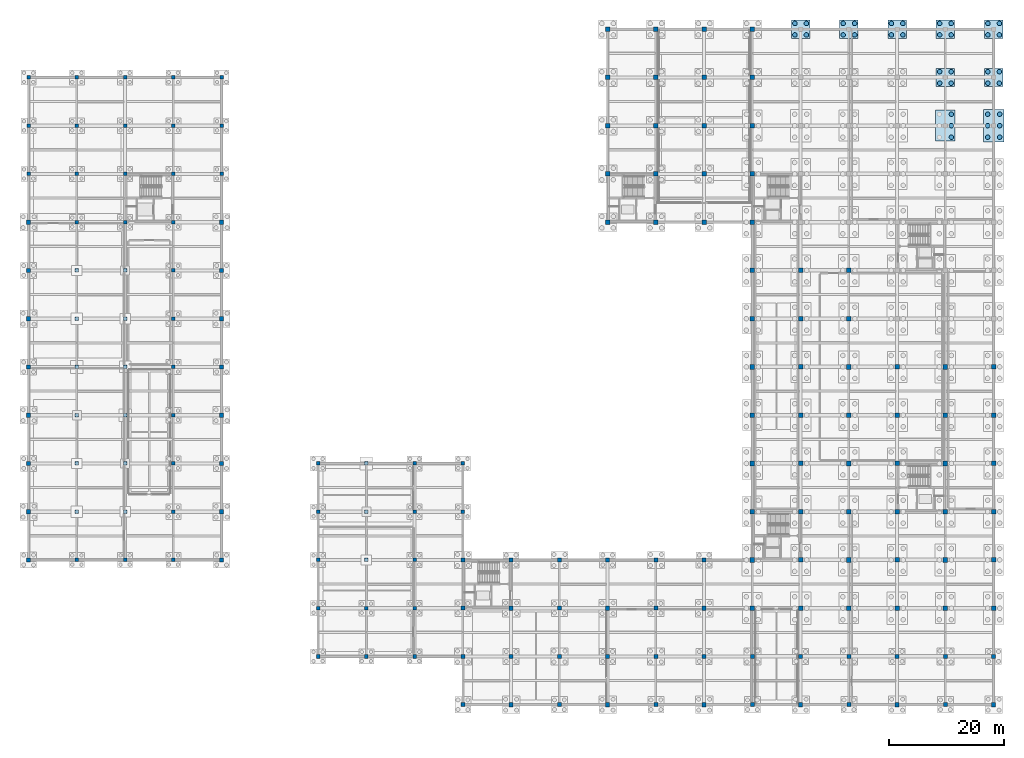
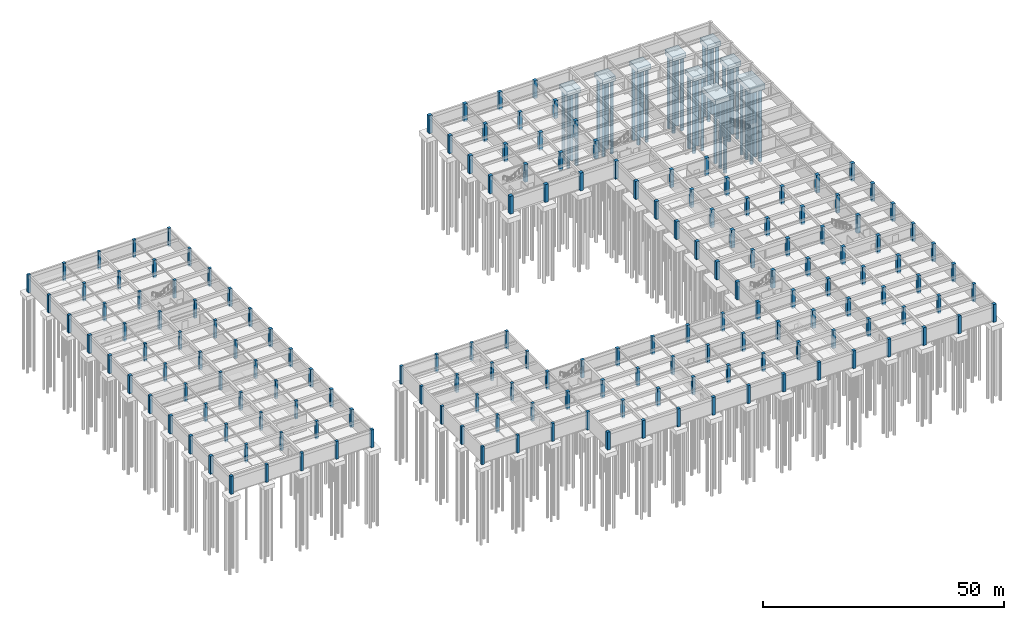
# One storey, part 7 of 33: 170 columns, 37 piles, 9 footings.
"""IFC4 building model written with IfcOpenShell, lengths in metres."""

from ifc_helpers import new_model, si_unit, direction, frame, origin, origin_2d, place, context, subcontext, project, spatial, rectangle, circle, extrude, material, material_profile, profile_set, type_object, element, save


model = new_model("IFC4")

# Units and contexts
model_context = context("Model", 3, precision=1e-05, world=origin(), true_north=direction((0.0, 1.0)))
body_context = subcontext(model_context, "Body", "Model", "MODEL_VIEW")
ifc_project = project(units=[si_unit("LENGTHUNIT", "METRE"), si_unit("AREAUNIT", "SQUARE_METRE"), si_unit("VOLUMEUNIT", "CUBIC_METRE"), si_unit("PLANEANGLEUNIT", "RADIAN"), si_unit("MASSUNIT", "GRAM", prefix="KILO")], contexts=[model_context])

# Site, building, storey
site_placement = place(None, origin())
site = spatial("IfcSite", under=ifc_project, at=site_placement, CompositionType="ELEMENT")
building_placement = place(site_placement, origin())
building = spatial("IfcBuilding", under=site, at=building_placement, Name="Kveldsbrygga Polytechnic", CompositionType="ELEMENT")
storey_placement = place(building_placement, frame((0.0, 0.0, -4.419921875)))
storey = spatial("IfcBuildingStorey", under=building, at=storey_placement, Name="B1", CompositionType="ELEMENT", Elevation=-4.419921875)

# Footings
ifc_material = material(Name="Concrete C45/55", Category="concrete")
footing_type_1 = type_object("IfcFootingType", Name="PC-4P-LRG", PredefinedType="PILE_CAP", material=ifc_material)
for number, where, z_axis, x_axis, name in (
    (1, (134.39990234375, 117.60009765625, -1.650146484375), (0.0, 0.0, 1.0), (1.0, 0.0, 0.0), "Foundation FND-16-14"),
    (2, (142.800048828125, 117.60009765625, -1.650146484375), (0.0, 0.0, 1.0), (1.0, 0.0, 0.0), "Foundation FND-17-14"),
    (3, (151.199951171875, 117.60009765625, -1.650146484375), (0.0, 0.0, 1.0), (1.0, 0.0, 0.0), "Foundation FND-18-14"),
    (4, (159.60009765625, 109.199951171875, -1.650146484375), (0.0, 0.0, 1.0), (1.0, 0.0, 0.0), "Foundation FND-19-13"),
    (5, (159.60009765625, 117.60009765625, -1.650146484375), (0.0, 0.0, 1.0), (1.0, 0.0, 0.0), "Foundation FND-19-14"),
    (6, (168.0, 109.199951171875, -1.650146484375), (0.0, 0.0, 1.0), (1.0, 0.0, 0.0), "Foundation FND-20-13"),
    (7, (168.0, 117.60009765625, -1.650146484375), (0.0, 0.0, 1.0), (1.0, 0.0, 0.0), "Foundation FND-20-14"),
):
    element("IfcFooting", number, at=place(storey_placement, frame(where, z_axis=z_axis, x_axis=x_axis)), inside=storey, type_object=footing_type_1, Name=name, PredefinedType="PILE_CAP", context=body_context, shape_type="SweptSolid", body=[
        extrude(rectangle(XDim=3.199951171875, YDim=3.199951171875, at=origin_2d()), origin(), (0.0, 0.0, 1.0), 1.25),
    ])
footing_type_2 = type_object("IfcFootingType", Name="PC-6P-CORE", PredefinedType="PILE_CAP", material=ifc_material)
footing_1_placement = place(storey_placement, frame((168.0, 100.800048828125, -1.750244140625), z_axis=(0.0, 0.0, 1.0), x_axis=(1.0, 0.0, 0.0)))
element("IfcFooting", 8, at=footing_1_placement, inside=storey, type_object=footing_type_2, Name="Foundation FND-20-12", PredefinedType="PILE_CAP", context=body_context, shape_type="SweptSolid", body=[
    extrude(rectangle(XDim=3.60009765625, YDim=5.60009765625, at=origin_2d()), origin(), (0.0, 0.0, 1.0), 1.35009765625),
])
footing_type_3 = type_object("IfcFootingType", Name="PC-6P-HEAVY", PredefinedType="PILE_CAP", material=ifc_material)
footing_2_placement = place(storey_placement, frame((159.60009765625, 100.800048828125, -1.7001953125), z_axis=(0.0, 0.0, 1.0), x_axis=(1.0, 0.0, 0.0)))
element("IfcFooting", 9, at=footing_2_placement, inside=storey, type_object=footing_type_3, Name="Foundation FND-19-12", PredefinedType="PILE_CAP", context=body_context, shape_type="SweptSolid", body=[
    extrude(rectangle(XDim=3.39990234375, YDim=5.39990234375, at=origin_2d()), origin(), (0.0, 0.0, 1.0), 1.300048828125),
])

# Piles
ifc_material_profile_1 = material_profile(ifc_material, circle(Radius=0.39990234375, at=origin_2d()), Name="PILE D800")
ifc_profile_set_1 = profile_set([ifc_material_profile_1], Name="Concrete C45/55")
pile_type = type_object("IfcPileType", Name="PILE-D800", PredefinedType="BORED", material=ifc_profile_set_1)
for number, where, z_axis, x_axis, name in (
    (10, (133.39990234375, 116.60009765625, -1.5), (0.0, 0.0, -1.0), (1.0, 0.0, 0.0), "Bored Pile PIL-16-14-1"),
    (11, (135.39990234375, 116.60009765625, -1.5), (0.0, 0.0, -1.0), (1.0, 0.0, 0.0), "Bored Pile PIL-16-14-2"),
    (12, (133.39990234375, 118.60009765625, -1.5), (0.0, 0.0, -1.0), (1.0, 0.0, 0.0), "Bored Pile PIL-16-14-3"),
    (13, (135.39990234375, 118.60009765625, -1.5), (0.0, 0.0, -1.0), (1.0, 0.0, 0.0), "Bored Pile PIL-16-14-4"),
    (14, (141.800048828125, 116.60009765625, -1.5), (0.0, 0.0, -1.0), (1.0, 0.0, 0.0), "Bored Pile PIL-17-14-1"),
    (15, (143.800048828125, 116.60009765625, -1.5), (0.0, 0.0, -1.0), (1.0, 0.0, 0.0), "Bored Pile PIL-17-14-2"),
    (16, (141.800048828125, 118.60009765625, -1.5), (0.0, 0.0, -1.0), (1.0, 0.0, 0.0), "Bored Pile PIL-17-14-3"),
    (17, (143.800048828125, 118.60009765625, -1.5), (0.0, 0.0, -1.0), (1.0, 0.0, 0.0), "Bored Pile PIL-17-14-4"),
    (18, (150.199951171875, 116.60009765625, -1.5), (0.0, 0.0, -1.0), (1.0, 0.0, 0.0), "Bored Pile PIL-18-14-1"),
    (19, (152.199951171875, 116.60009765625, -1.5), (0.0, 0.0, -1.0), (1.0, 0.0, 0.0), "Bored Pile PIL-18-14-2"),
    (20, (150.199951171875, 118.60009765625, -1.5), (0.0, 0.0, -1.0), (1.0, 0.0, 0.0), "Bored Pile PIL-18-14-3"),
    (21, (152.199951171875, 118.60009765625, -1.5), (0.0, 0.0, -1.0), (1.0, 0.0, 0.0), "Bored Pile PIL-18-14-4"),
):
    element("IfcPile", number, at=place(storey_placement, frame(where, z_axis=z_axis, x_axis=x_axis)), inside=storey, type_object=pile_type, Name=name, PredefinedType="BORED", context=body_context, shape_type="SweptSolid", body=[
        extrude(circle(Radius=0.39990234375, at=origin_2d()), origin(), (0.0, 0.0, 1.0), 18.580078125),
    ])
for number, where, z_axis, x_axis, name in (
    (22, (160.64990234375, 98.800048828125, -1.550048828125), (0.0, 0.0, -1.0), (1.0, 0.0, 0.0), "Bored Pile PIL-19-12-2"),
    (23, (160.64990234375, 100.800048828125, -1.550048828125), (0.0, 0.0, -1.0), (1.0, 0.0, 0.0), "Bored Pile PIL-19-12-4"),
    (24, (160.64990234375, 102.800048828125, -1.550048828125), (0.0, 0.0, -1.0), (1.0, 0.0, 0.0), "Bored Pile PIL-19-12-6"),
):
    element("IfcPile", number, at=place(storey_placement, frame(where, z_axis=z_axis, x_axis=x_axis)), inside=storey, type_object=pile_type, Name=name, PredefinedType="BORED", context=body_context, shape_type="SweptSolid", body=[
        extrude(circle(Radius=0.39990234375, at=origin_2d()), origin(), (0.0, 0.0, 1.0), 18.530029296875),
    ])
for number, where, z_axis, x_axis, name in (
    (25, (158.60009765625, 108.199951171875, -1.5), (0.0, 0.0, -1.0), (1.0, 0.0, 0.0), "Bored Pile PIL-19-13-1"),
    (26, (160.60009765625, 108.199951171875, -1.5), (0.0, 0.0, -1.0), (1.0, 0.0, 0.0), "Bored Pile PIL-19-13-2"),
    (27, (158.60009765625, 110.199951171875, -1.5), (0.0, 0.0, -1.0), (1.0, 0.0, 0.0), "Bored Pile PIL-19-13-3"),
    (28, (160.60009765625, 110.199951171875, -1.5), (0.0, 0.0, -1.0), (1.0, 0.0, 0.0), "Bored Pile PIL-19-13-4"),
    (29, (158.60009765625, 116.60009765625, -1.5), (0.0, 0.0, -1.0), (1.0, 0.0, 0.0), "Bored Pile PIL-19-14-1"),
    (30, (160.60009765625, 116.60009765625, -1.5), (0.0, 0.0, -1.0), (1.0, 0.0, 0.0), "Bored Pile PIL-19-14-2"),
    (31, (158.60009765625, 118.60009765625, -1.5), (0.0, 0.0, -1.0), (1.0, 0.0, 0.0), "Bored Pile PIL-19-14-3"),
    (32, (160.60009765625, 118.60009765625, -1.5), (0.0, 0.0, -1.0), (1.0, 0.0, 0.0), "Bored Pile PIL-19-14-4"),
):
    element("IfcPile", number, at=place(storey_placement, frame(where, z_axis=z_axis, x_axis=x_axis)), inside=storey, type_object=pile_type, Name=name, PredefinedType="BORED", context=body_context, shape_type="SweptSolid", body=[
        extrude(circle(Radius=0.39990234375, at=origin_2d()), origin(), (0.0, 0.0, 1.0), 18.580078125),
    ])
for number, where, z_axis, x_axis, name in (
    (33, (166.949951171875, 98.800048828125, -1.60009765625), (0.0, 0.0, -1.0), (1.0, 0.0, 0.0), "Bored Pile PIL-20-12-1"),
    (34, (169.050048828125, 98.800048828125, -1.60009765625), (0.0, 0.0, -1.0), (1.0, 0.0, 0.0), "Bored Pile PIL-20-12-2"),
    (35, (166.949951171875, 100.800048828125, -1.60009765625), (0.0, 0.0, -1.0), (1.0, 0.0, 0.0), "Bored Pile PIL-20-12-3"),
    (36, (169.050048828125, 100.800048828125, -1.60009765625), (0.0, 0.0, -1.0), (1.0, 0.0, 0.0), "Bored Pile PIL-20-12-4"),
    (37, (166.949951171875, 102.800048828125, -1.60009765625), (0.0, 0.0, -1.0), (1.0, 0.0, 0.0), "Bored Pile PIL-20-12-5"),
    (38, (169.050048828125, 102.800048828125, -1.60009765625), (0.0, 0.0, -1.0), (1.0, 0.0, 0.0), "Bored Pile PIL-20-12-6"),
):
    element("IfcPile", number, at=place(storey_placement, frame(where, z_axis=z_axis, x_axis=x_axis)), inside=storey, type_object=pile_type, Name=name, PredefinedType="BORED", context=body_context, shape_type="SweptSolid", body=[
        extrude(circle(Radius=0.39990234375, at=origin_2d()), origin(), (0.0, 0.0, 1.0), 18.47998046875),
    ])
for number, where, z_axis, x_axis, name in (
    (39, (167.0, 108.199951171875, -1.5), (0.0, 0.0, -1.0), (1.0, 0.0, 0.0), "Bored Pile PIL-20-13-1"),
    (40, (169.0, 108.199951171875, -1.5), (0.0, 0.0, -1.0), (1.0, 0.0, 0.0), "Bored Pile PIL-20-13-2"),
    (41, (167.0, 110.199951171875, -1.5), (0.0, 0.0, -1.0), (1.0, 0.0, 0.0), "Bored Pile PIL-20-13-3"),
    (42, (169.0, 110.199951171875, -1.5), (0.0, 0.0, -1.0), (1.0, 0.0, 0.0), "Bored Pile PIL-20-13-4"),
    (43, (167.0, 116.60009765625, -1.5), (0.0, 0.0, -1.0), (1.0, 0.0, 0.0), "Bored Pile PIL-20-14-1"),
    (44, (169.0, 116.60009765625, -1.5), (0.0, 0.0, -1.0), (1.0, 0.0, 0.0), "Bored Pile PIL-20-14-2"),
    (45, (167.0, 118.60009765625, -1.5), (0.0, 0.0, -1.0), (1.0, 0.0, 0.0), "Bored Pile PIL-20-14-3"),
    (46, (169.0, 118.60009765625, -1.5), (0.0, 0.0, -1.0), (1.0, 0.0, 0.0), "Bored Pile PIL-20-14-4"),
):
    element("IfcPile", number, at=place(storey_placement, frame(where, z_axis=z_axis, x_axis=x_axis)), inside=storey, type_object=pile_type, Name=name, PredefinedType="BORED", context=body_context, shape_type="SweptSolid", body=[
        extrude(circle(Radius=0.39990234375, at=origin_2d()), origin(), (0.0, 0.0, 1.0), 18.580078125),
    ])

# Columns
ifc_material_profile_2 = material_profile(ifc_material, rectangle(XDim=0.6201171875, YDim=0.6201171875, at=origin_2d()), Name="RC 620x620")
ifc_profile_set_2 = profile_set([ifc_material_profile_2], Name="Concrete C45/55")
column_type_1 = type_object("IfcColumnType", Name="COL-RC-620", PredefinedType="COLUMN", material=ifc_profile_set_2)
for number, where, z_axis, x_axis, name in (
    (47, (0.0, 92.39990234375, -0.400146484375), (0.0, 0.0, 1.0), (1.0, 0.0, 0.0), "Column COL-B1-00-11"),
    (48, (0.0, 100.800048828125, -0.400146484375), (0.0, 0.0, 1.0), (1.0, 0.0, 0.0), "Column COL-B1-00-12"),
    (49, (0.0, 109.199951171875, -0.400146484375), (0.0, 0.0, 1.0), (1.0, 0.0, 0.0), "Column COL-B1-00-13"),
    (50, (8.39990234375, 25.199951171875, -0.400146484375), (0.0, 0.0, 1.0), (1.0, 0.0, 0.0), "Column COL-B1-01-03"),
    (51, (8.39990234375, 33.60009765625, -0.400146484375), (0.0, 0.0, 1.0), (1.0, 0.0, 0.0), "Column COL-B1-01-04"),
    (52, (8.39990234375, 42.0, -0.400146484375), (0.0, 0.0, 1.0), (1.0, 0.0, 0.0), "Column COL-B1-01-05"),
    (53, (8.39990234375, 50.39990234375, -0.400146484375), (0.0, 0.0, 1.0), (1.0, 0.0, 0.0), "Column COL-B1-01-06"),
    (54, (8.39990234375, 58.800048828125, -0.400146484375), (0.0, 0.0, 1.0), (1.0, 0.0, 0.0), "Column COL-B1-01-07"),
    (55, (8.39990234375, 67.199951171875, -0.400146484375), (0.0, 0.0, 1.0), (1.0, 0.0, 0.0), "Column COL-B1-01-08"),
    (56, (8.39990234375, 75.60009765625, -0.400146484375), (0.0, 0.0, 1.0), (1.0, 0.0, 0.0), "Column COL-B1-01-09"),
    (57, (8.39990234375, 84.0, -0.400146484375), (0.0, 0.0, 1.0), (1.0, 0.0, 0.0), "Column COL-B1-01-10"),
    (58, (8.39990234375, 92.39990234375, -0.400146484375), (0.0, 0.0, 1.0), (1.0, 0.0, 0.0), "Column COL-B1-01-11"),
    (59, (8.39990234375, 100.800048828125, -0.400146484375), (0.0, 0.0, 1.0), (1.0, 0.0, 0.0), "Column COL-B1-01-12"),
    (60, (8.39990234375, 109.199951171875, -0.400146484375), (0.0, 0.0, 1.0), (1.0, 0.0, 0.0), "Column COL-B1-01-13"),
    (61, (16.800048828125, 25.199951171875, -0.400146484375), (0.0, 0.0, 1.0), (1.0, 0.0, 0.0), "Column COL-B1-02-03"),
    (62, (16.800048828125, 33.60009765625, -0.400146484375), (0.0, 0.0, 1.0), (1.0, 0.0, 0.0), "Column COL-B1-02-04"),
    (63, (16.800048828125, 42.0, -0.400146484375), (0.0, 0.0, 1.0), (1.0, 0.0, 0.0), "Column COL-B1-02-05"),
    (64, (16.800048828125, 50.39990234375, -0.400146484375), (0.0, 0.0, 1.0), (1.0, 0.0, 0.0), "Column COL-B1-02-06"),
    (65, (16.800048828125, 58.800048828125, -0.400146484375), (0.0, 0.0, 1.0), (1.0, 0.0, 0.0), "Column COL-B1-02-07"),
    (66, (16.800048828125, 67.199951171875, -0.400146484375), (0.0, 0.0, 1.0), (1.0, 0.0, 0.0), "Column COL-B1-02-08"),
    (67, (16.800048828125, 75.60009765625, -0.400146484375), (0.0, 0.0, 1.0), (1.0, 0.0, 0.0), "Column COL-B1-02-09"),
    (68, (16.800048828125, 84.0, -0.400146484375), (0.0, 0.0, 1.0), (1.0, 0.0, 0.0), "Column COL-B1-02-10"),
    (69, (16.800048828125, 92.39990234375, -0.400146484375), (0.0, 0.0, 1.0), (1.0, 0.0, 0.0), "Column COL-B1-02-11"),
    (70, (16.800048828125, 100.800048828125, -0.400146484375), (0.0, 0.0, 1.0), (1.0, 0.0, 0.0), "Column COL-B1-02-12"),
    (71, (16.800048828125, 109.199951171875, -0.400146484375), (0.0, 0.0, 1.0), (1.0, 0.0, 0.0), "Column COL-B1-02-13"),
    (72, (25.199951171875, 25.199951171875, -0.400146484375), (0.0, 0.0, 1.0), (1.0, 0.0, 0.0), "Column COL-B1-03-03"),
    (73, (25.199951171875, 33.60009765625, -0.400146484375), (0.0, 0.0, 1.0), (1.0, 0.0, 0.0), "Column COL-B1-03-04"),
    (74, (25.199951171875, 42.0, -0.400146484375), (0.0, 0.0, 1.0), (1.0, 0.0, 0.0), "Column COL-B1-03-05"),
    (75, (25.199951171875, 50.39990234375, -0.400146484375), (0.0, 0.0, 1.0), (1.0, 0.0, 0.0), "Column COL-B1-03-06"),
    (76, (25.199951171875, 58.800048828125, -0.400146484375), (0.0, 0.0, 1.0), (1.0, 0.0, 0.0), "Column COL-B1-03-07"),
    (77, (25.199951171875, 67.199951171875, -0.400146484375), (0.0, 0.0, 1.0), (1.0, 0.0, 0.0), "Column COL-B1-03-08"),
    (78, (25.199951171875, 75.60009765625, -0.400146484375), (0.0, 0.0, 1.0), (1.0, 0.0, 0.0), "Column COL-B1-03-09"),
    (79, (25.199951171875, 84.0, -0.400146484375), (0.0, 0.0, 1.0), (1.0, 0.0, 0.0), "Column COL-B1-03-10"),
    (80, (25.199951171875, 92.39990234375, -0.400146484375), (0.0, 0.0, 1.0), (1.0, 0.0, 0.0), "Column COL-B1-03-11"),
    (81, (25.199951171875, 100.800048828125, -0.400146484375), (0.0, 0.0, 1.0), (1.0, 0.0, 0.0), "Column COL-B1-03-12"),
    (82, (25.199951171875, 109.199951171875, -0.400146484375), (0.0, 0.0, 1.0), (1.0, 0.0, 0.0), "Column COL-B1-03-13"),
    (83, (33.60009765625, 92.39990234375, -0.400146484375), (0.0, 0.0, 1.0), (1.0, 0.0, 0.0), "Column COL-B1-04-11"),
    (84, (33.60009765625, 100.800048828125, -0.400146484375), (0.0, 0.0, 1.0), (1.0, 0.0, 0.0), "Column COL-B1-04-12"),
    (85, (33.60009765625, 109.199951171875, -0.400146484375), (0.0, 0.0, 1.0), (1.0, 0.0, 0.0), "Column COL-B1-04-13"),
    (86, (50.39990234375, 8.39990234375, -0.400146484375), (0.0, 0.0, 1.0), (1.0, 0.0, 0.0), "Column COL-B1-06-01"),
    (87, (50.39990234375, 16.800048828125, -0.400146484375), (0.0, 0.0, 1.0), (1.0, 0.0, 0.0), "Column COL-B1-06-02"),
    (88, (50.39990234375, 25.199951171875, -0.400146484375), (0.0, 0.0, 1.0), (1.0, 0.0, 0.0), "Column COL-B1-06-03"),
    (89, (50.39990234375, 33.60009765625, -0.400146484375), (0.0, 0.0, 1.0), (1.0, 0.0, 0.0), "Column COL-B1-06-04"),
    (90, (50.39990234375, 42.0, -0.400146484375), (0.0, 0.0, 1.0), (1.0, 0.0, 0.0), "Column COL-B1-06-05"),
    (91, (58.800048828125, 8.39990234375, -0.400146484375), (0.0, 0.0, 1.0), (1.0, 0.0, 0.0), "Column COL-B1-07-01"),
    (92, (58.800048828125, 16.800048828125, -0.400146484375), (0.0, 0.0, 1.0), (1.0, 0.0, 0.0), "Column COL-B1-07-02"),
    (93, (58.800048828125, 25.199951171875, -0.400146484375), (0.0, 0.0, 1.0), (1.0, 0.0, 0.0), "Column COL-B1-07-03"),
    (94, (58.800048828125, 33.60009765625, -0.400146484375), (0.0, 0.0, 1.0), (1.0, 0.0, 0.0), "Column COL-B1-07-04"),
    (95, (58.800048828125, 42.0, -0.400146484375), (0.0, 0.0, 1.0), (1.0, 0.0, 0.0), "Column COL-B1-07-05"),
    (96, (67.199951171875, 8.39990234375, -0.400146484375), (0.0, 0.0, 1.0), (1.0, 0.0, 0.0), "Column COL-B1-08-01"),
    (97, (67.199951171875, 16.800048828125, -0.400146484375), (0.0, 0.0, 1.0), (1.0, 0.0, 0.0), "Column COL-B1-08-02"),
    (98, (67.199951171875, 25.199951171875, -0.400146484375), (0.0, 0.0, 1.0), (1.0, 0.0, 0.0), "Column COL-B1-08-03"),
    (99, (67.199951171875, 33.60009765625, -0.400146484375), (0.0, 0.0, 1.0), (1.0, 0.0, 0.0), "Column COL-B1-08-04"),
    (100, (67.199951171875, 42.0, -0.400146484375), (0.0, 0.0, 1.0), (1.0, 0.0, 0.0), "Column COL-B1-08-05"),
    (101, (75.60009765625, 33.60009765625, -0.400146484375), (0.0, 0.0, 1.0), (1.0, 0.0, 0.0), "Column COL-B1-09-04"),
    (102, (75.60009765625, 42.0, -0.400146484375), (0.0, 0.0, 1.0), (1.0, 0.0, 0.0), "Column COL-B1-09-05"),
):
    element("IfcColumn", number, at=place(storey_placement, frame(where, z_axis=z_axis, x_axis=x_axis)), inside=storey, type_object=column_type_1, Name=name, PredefinedType="COLUMN", context=body_context, shape_type="SweptSolid", body=[
        extrude(rectangle(XDim=0.6201171875, YDim=0.6201171875, at=origin_2d()), origin(), (0.0, 0.0, 1.0), 4.52001953125),
    ])
ifc_material_profile_3 = material_profile(ifc_material, rectangle(XDim=0.699951171875, YDim=0.699951171875, at=origin_2d()), Name="RC 700x700")
ifc_profile_set_3 = profile_set([ifc_material_profile_3], Name="Concrete C45/55")
column_type_2 = type_object("IfcColumnType", Name="COL-RC-700", PredefinedType="COLUMN", material=ifc_profile_set_3)
for number, where, z_axis, x_axis, name in (
    (103, (0.0, 25.199951171875, -0.400146484375), (0.0, 0.0, 1.0), (1.0, 0.0, 0.0), "Column COL-B1-00-03"),
    (104, (0.0, 42.0, -0.400146484375), (0.0, 0.0, 1.0), (1.0, 0.0, 0.0), "Column COL-B1-00-05"),
    (105, (0.0, 58.800048828125, -0.400146484375), (0.0, 0.0, 1.0), (1.0, 0.0, 0.0), "Column COL-B1-00-07"),
    (106, (0.0, 75.60009765625, -0.400146484375), (0.0, 0.0, 1.0), (1.0, 0.0, 0.0), "Column COL-B1-00-09"),
    (107, (33.60009765625, 25.199951171875, -0.400146484375), (0.0, 0.0, 1.0), (1.0, 0.0, 0.0), "Column COL-B1-04-03"),
    (108, (33.60009765625, 42.0, -0.400146484375), (0.0, 0.0, 1.0), (1.0, 0.0, 0.0), "Column COL-B1-04-05"),
    (109, (33.60009765625, 58.800048828125, -0.400146484375), (0.0, 0.0, 1.0), (1.0, 0.0, 0.0), "Column COL-B1-04-07"),
    (110, (33.60009765625, 75.60009765625, -0.400146484375), (0.0, 0.0, 1.0), (1.0, 0.0, 0.0), "Column COL-B1-04-09"),
    (111, (75.60009765625, 0.0, -0.400146484375), (0.0, 0.0, 1.0), (1.0, 0.0, 0.0), "Column COL-B1-09-00"),
    (112, (75.60009765625, 16.800048828125, -0.400146484375), (0.0, 0.0, 1.0), (1.0, 0.0, 0.0), "Column COL-B1-09-02"),
    (113, (84.0, 8.39990234375, -0.400146484375), (0.0, 0.0, 1.0), (1.0, 0.0, 0.0), "Column COL-B1-10-01"),
    (114, (84.0, 25.199951171875, -0.400146484375), (0.0, 0.0, 1.0), (1.0, 0.0, 0.0), "Column COL-B1-10-03"),
    (115, (92.39990234375, 0.0, -0.400146484375), (0.0, 0.0, 1.0), (1.0, 0.0, 0.0), "Column COL-B1-11-00"),
    (116, (92.39990234375, 16.800048828125, -0.400146484375), (0.0, 0.0, 1.0), (1.0, 0.0, 0.0), "Column COL-B1-11-02"),
    (117, (100.800048828125, 8.39990234375, -0.400146484375), (0.0, 0.0, 1.0), (1.0, 0.0, 0.0), "Column COL-B1-12-01"),
    (118, (100.800048828125, 25.199951171875, -0.400146484375), (0.0, 0.0, 1.0), (1.0, 0.0, 0.0), "Column COL-B1-12-03"),
    (119, (109.199951171875, 0.0, -0.400146484375), (0.0, 0.0, 1.0), (1.0, 0.0, 0.0), "Column COL-B1-13-00"),
    (120, (109.199951171875, 16.800048828125, -0.400146484375), (0.0, 0.0, 1.0), (1.0, 0.0, 0.0), "Column COL-B1-13-02"),
    (121, (117.60009765625, 8.39990234375, -0.400146484375), (0.0, 0.0, 1.0), (1.0, 0.0, 0.0), "Column COL-B1-14-01"),
    (122, (117.60009765625, 25.199951171875, -0.400146484375), (0.0, 0.0, 1.0), (1.0, 0.0, 0.0), "Column COL-B1-14-03"),
    (123, (126.0, 0.0, -0.400146484375), (0.0, 0.0, 1.0), (1.0, 0.0, 0.0), "Column COL-B1-15-00"),
    (124, (134.39990234375, 8.39990234375, -0.400146484375), (0.0, 0.0, 1.0), (1.0, 0.0, 0.0), "Column COL-B1-16-01"),
    (125, (142.800048828125, 0.0, -0.400146484375), (0.0, 0.0, 1.0), (1.0, 0.0, 0.0), "Column COL-B1-17-00"),
    (126, (151.199951171875, 8.39990234375, -0.400146484375), (0.0, 0.0, 1.0), (1.0, 0.0, 0.0), "Column COL-B1-18-01"),
    (127, (159.60009765625, 0.0, -0.400146484375), (0.0, 0.0, 1.0), (1.0, 0.0, 0.0), "Column COL-B1-19-00"),
    (128, (168.0, 8.39990234375, -0.400146484375), (0.0, 0.0, 1.0), (1.0, 0.0, 0.0), "Column COL-B1-20-01"),
):
    element("IfcColumn", number, at=place(storey_placement, frame(where, z_axis=z_axis, x_axis=x_axis)), inside=storey, type_object=column_type_2, Name=name, PredefinedType="COLUMN", context=body_context, shape_type="SweptSolid", body=[
        extrude(rectangle(XDim=0.699951171875, YDim=0.699951171875, at=origin_2d()), origin(), (0.0, 0.0, 1.0), 4.52001953125),
    ])
ifc_material_profile_4 = material_profile(ifc_material, rectangle(XDim=0.719970703125, YDim=0.719970703125, at=origin_2d()), Name="RC 720x720")
ifc_profile_set_4 = profile_set([ifc_material_profile_4], Name="Concrete C45/55")
column_type_3 = type_object("IfcColumnType", Name="COL-RC-720", PredefinedType="COLUMN", material=ifc_profile_set_4)
for number, where, z_axis, x_axis, name in (
    (129, (0.0, 33.60009765625, -0.400146484375), (0.0, 0.0, 1.0), (1.0, 0.0, 0.0), "Column COL-B1-00-04"),
    (130, (0.0, 50.39990234375, -0.400146484375), (0.0, 0.0, 1.0), (1.0, 0.0, 0.0), "Column COL-B1-00-06"),
    (131, (0.0, 67.199951171875, -0.400146484375), (0.0, 0.0, 1.0), (1.0, 0.0, 0.0), "Column COL-B1-00-08"),
    (132, (0.0, 84.0, -0.400146484375), (0.0, 0.0, 1.0), (1.0, 0.0, 0.0), "Column COL-B1-00-10"),
    (133, (33.60009765625, 33.60009765625, -0.400146484375), (0.0, 0.0, 1.0), (1.0, 0.0, 0.0), "Column COL-B1-04-04"),
    (134, (33.60009765625, 50.39990234375, -0.400146484375), (0.0, 0.0, 1.0), (1.0, 0.0, 0.0), "Column COL-B1-04-06"),
    (135, (33.60009765625, 67.199951171875, -0.400146484375), (0.0, 0.0, 1.0), (1.0, 0.0, 0.0), "Column COL-B1-04-08"),
    (136, (33.60009765625, 84.0, -0.400146484375), (0.0, 0.0, 1.0), (1.0, 0.0, 0.0), "Column COL-B1-04-10"),
    (137, (75.60009765625, 8.39990234375, -0.400146484375), (0.0, 0.0, 1.0), (1.0, 0.0, 0.0), "Column COL-B1-09-01"),
    (138, (75.60009765625, 25.199951171875, -0.400146484375), (0.0, 0.0, 1.0), (1.0, 0.0, 0.0), "Column COL-B1-09-03"),
    (139, (84.0, 0.0, -0.400146484375), (0.0, 0.0, 1.0), (1.0, 0.0, 0.0), "Column COL-B1-10-00"),
    (140, (84.0, 16.800048828125, -0.400146484375), (0.0, 0.0, 1.0), (1.0, 0.0, 0.0), "Column COL-B1-10-02"),
    (141, (92.39990234375, 8.39990234375, -0.400146484375), (0.0, 0.0, 1.0), (1.0, 0.0, 0.0), "Column COL-B1-11-01"),
    (142, (92.39990234375, 25.199951171875, -0.400146484375), (0.0, 0.0, 1.0), (1.0, 0.0, 0.0), "Column COL-B1-11-03"),
    (143, (100.800048828125, 0.0, -0.400146484375), (0.0, 0.0, 1.0), (1.0, 0.0, 0.0), "Column COL-B1-12-00"),
    (144, (100.800048828125, 16.800048828125, -0.400146484375), (0.0, 0.0, 1.0), (1.0, 0.0, 0.0), "Column COL-B1-12-02"),
    (145, (109.199951171875, 8.39990234375, -0.400146484375), (0.0, 0.0, 1.0), (1.0, 0.0, 0.0), "Column COL-B1-13-01"),
    (146, (109.199951171875, 25.199951171875, -0.400146484375), (0.0, 0.0, 1.0), (1.0, 0.0, 0.0), "Column COL-B1-13-03"),
    (147, (117.60009765625, 0.0, -0.400146484375), (0.0, 0.0, 1.0), (1.0, 0.0, 0.0), "Column COL-B1-14-00"),
    (148, (117.60009765625, 16.800048828125, -0.400146484375), (0.0, 0.0, 1.0), (1.0, 0.0, 0.0), "Column COL-B1-14-02"),
    (149, (126.0, 8.39990234375, -0.400146484375), (0.0, 0.0, 1.0), (1.0, 0.0, 0.0), "Column COL-B1-15-01"),
    (150, (134.39990234375, 0.0, -0.400146484375), (0.0, 0.0, 1.0), (1.0, 0.0, 0.0), "Column COL-B1-16-00"),
    (151, (142.800048828125, 8.39990234375, -0.400146484375), (0.0, 0.0, 1.0), (1.0, 0.0, 0.0), "Column COL-B1-17-01"),
    (152, (151.199951171875, 0.0, -0.400146484375), (0.0, 0.0, 1.0), (1.0, 0.0, 0.0), "Column COL-B1-18-00"),
    (153, (159.60009765625, 8.39990234375, -0.400146484375), (0.0, 0.0, 1.0), (1.0, 0.0, 0.0), "Column COL-B1-19-01"),
    (154, (168.0, 0.0, -0.400146484375), (0.0, 0.0, 1.0), (1.0, 0.0, 0.0), "Column COL-B1-20-00"),
):
    element("IfcColumn", number, at=place(storey_placement, frame(where, z_axis=z_axis, x_axis=x_axis)), inside=storey, type_object=column_type_3, Name=name, PredefinedType="COLUMN", context=body_context, shape_type="SweptSolid", body=[
        extrude(rectangle(XDim=0.719970703125, YDim=0.719970703125, at=origin_2d()), origin(), (0.0, 0.0, 1.0), 4.52001953125),
    ])
ifc_material_profile_5 = material_profile(ifc_material, rectangle(XDim=0.780029296875, YDim=0.780029296875, at=origin_2d()), Name="RC 780x780")
ifc_profile_set_5 = profile_set([ifc_material_profile_5], Name="Concrete C45/55")
column_type_4 = type_object("IfcColumnType", Name="COL-RC-780", PredefinedType="COLUMN", material=ifc_profile_set_5)
for number, where, z_axis, x_axis, name in (
    (155, (100.800048828125, 92.39990234375, -0.400146484375), (0.0, 0.0, 1.0), (1.0, 0.0, 0.0), "Column COL-B1-12-11"),
    (156, (100.800048828125, 109.199951171875, -0.400146484375), (0.0, 0.0, 1.0), (1.0, 0.0, 0.0), "Column COL-B1-12-13"),
    (157, (109.199951171875, 84.0, -0.400146484375), (0.0, 0.0, 1.0), (1.0, 0.0, 0.0), "Column COL-B1-13-10"),
    (158, (109.199951171875, 100.800048828125, -0.400146484375), (0.0, 0.0, 1.0), (1.0, 0.0, 0.0), "Column COL-B1-13-12"),
    (159, (109.199951171875, 117.60009765625, -0.400146484375), (0.0, 0.0, 1.0), (1.0, 0.0, 0.0), "Column COL-B1-13-14"),
    (160, (117.60009765625, 92.39990234375, -0.400146484375), (0.0, 0.0, 1.0), (1.0, 0.0, 0.0), "Column COL-B1-14-11"),
    (161, (117.60009765625, 109.199951171875, -0.400146484375), (0.0, 0.0, 1.0), (1.0, 0.0, 0.0), "Column COL-B1-14-13"),
    (162, (126.0, 16.800048828125, -0.400146484375), (0.0, 0.0, 1.0), (1.0, 0.0, 0.0), "Column COL-B1-15-02"),
    (163, (126.0, 33.60009765625, -0.400146484375), (0.0, 0.0, 1.0), (1.0, 0.0, 0.0), "Column COL-B1-15-04"),
    (164, (126.0, 50.39990234375, -0.400146484375), (0.0, 0.0, 1.0), (1.0, 0.0, 0.0), "Column COL-B1-15-06"),
    (165, (126.0, 67.199951171875, -0.400146484375), (0.0, 0.0, 1.0), (1.0, 0.0, 0.0), "Column COL-B1-15-08"),
    (166, (126.0, 84.0, -0.400146484375), (0.0, 0.0, 1.0), (1.0, 0.0, 0.0), "Column COL-B1-15-10"),
    (167, (126.0, 100.800048828125, -0.400146484375), (0.0, 0.0, 1.0), (1.0, 0.0, 0.0), "Column COL-B1-15-12"),
    (168, (126.0, 117.60009765625, -0.400146484375), (0.0, 0.0, 1.0), (1.0, 0.0, 0.0), "Column COL-B1-15-14"),
    (169, (134.39990234375, 25.199951171875, -0.400146484375), (0.0, 0.0, 1.0), (1.0, 0.0, 0.0), "Column COL-B1-16-03"),
    (170, (134.39990234375, 42.0, -0.400146484375), (0.0, 0.0, 1.0), (1.0, 0.0, 0.0), "Column COL-B1-16-05"),
    (171, (134.39990234375, 58.800048828125, -0.400146484375), (0.0, 0.0, 1.0), (1.0, 0.0, 0.0), "Column COL-B1-16-07"),
    (172, (134.39990234375, 75.60009765625, -0.400146484375), (0.0, 0.0, 1.0), (1.0, 0.0, 0.0), "Column COL-B1-16-09"),
    (173, (142.800048828125, 16.800048828125, -0.400146484375), (0.0, 0.0, 1.0), (1.0, 0.0, 0.0), "Column COL-B1-17-02"),
    (174, (142.800048828125, 33.60009765625, -0.400146484375), (0.0, 0.0, 1.0), (1.0, 0.0, 0.0), "Column COL-B1-17-04"),
    (175, (142.800048828125, 50.39990234375, -0.400146484375), (0.0, 0.0, 1.0), (1.0, 0.0, 0.0), "Column COL-B1-17-06"),
    (176, (142.800048828125, 67.199951171875, -0.400146484375), (0.0, 0.0, 1.0), (1.0, 0.0, 0.0), "Column COL-B1-17-08"),
    (177, (151.199951171875, 25.199951171875, -0.400146484375), (0.0, 0.0, 1.0), (1.0, 0.0, 0.0), "Column COL-B1-18-03"),
    (178, (151.199951171875, 42.0, -0.400146484375), (0.0, 0.0, 1.0), (1.0, 0.0, 0.0), "Column COL-B1-18-05"),
    (179, (151.199951171875, 58.800048828125, -0.400146484375), (0.0, 0.0, 1.0), (1.0, 0.0, 0.0), "Column COL-B1-18-07"),
    (180, (159.60009765625, 16.800048828125, -0.400146484375), (0.0, 0.0, 1.0), (1.0, 0.0, 0.0), "Column COL-B1-19-02"),
    (181, (159.60009765625, 33.60009765625, -0.400146484375), (0.0, 0.0, 1.0), (1.0, 0.0, 0.0), "Column COL-B1-19-04"),
    (182, (159.60009765625, 50.39990234375, -0.400146484375), (0.0, 0.0, 1.0), (1.0, 0.0, 0.0), "Column COL-B1-19-06"),
    (183, (168.0, 25.199951171875, -0.400146484375), (0.0, 0.0, 1.0), (1.0, 0.0, 0.0), "Column COL-B1-20-03"),
    (184, (168.0, 42.0, -0.400146484375), (0.0, 0.0, 1.0), (1.0, 0.0, 0.0), "Column COL-B1-20-05"),
    (185, (168.0, 58.800048828125, -0.400146484375), (0.0, 0.0, 1.0), (1.0, 0.0, 0.0), "Column COL-B1-20-07"),
):
    element("IfcColumn", number, at=place(storey_placement, frame(where, z_axis=z_axis, x_axis=x_axis)), inside=storey, type_object=column_type_4, Name=name, PredefinedType="COLUMN", context=body_context, shape_type="SweptSolid", body=[
        extrude(rectangle(XDim=0.780029296875, YDim=0.780029296875, at=origin_2d()), origin(), (0.0, 0.0, 1.0), 4.52001953125),
    ])
ifc_material_profile_6 = material_profile(ifc_material, rectangle(XDim=0.800048828125, YDim=0.800048828125, at=origin_2d()), Name="RC 800x800")
ifc_profile_set_6 = profile_set([ifc_material_profile_6], Name="Concrete C45/55")
column_type_5 = type_object("IfcColumnType", Name="COL-RC-800", PredefinedType="COLUMN", material=ifc_profile_set_6)
for number, where, z_axis, x_axis, name in (
    (186, (100.800048828125, 84.0, -0.400146484375), (0.0, 0.0, 1.0), (1.0, 0.0, 0.0), "Column COL-B1-12-10"),
    (187, (100.800048828125, 100.800048828125, -0.400146484375), (0.0, 0.0, 1.0), (1.0, 0.0, 0.0), "Column COL-B1-12-12"),
    (188, (100.800048828125, 117.60009765625, -0.400146484375), (0.0, 0.0, 1.0), (1.0, 0.0, 0.0), "Column COL-B1-12-14"),
    (189, (109.199951171875, 92.39990234375, -0.400146484375), (0.0, 0.0, 1.0), (1.0, 0.0, 0.0), "Column COL-B1-13-11"),
    (190, (109.199951171875, 109.199951171875, -0.400146484375), (0.0, 0.0, 1.0), (1.0, 0.0, 0.0), "Column COL-B1-13-13"),
    (191, (117.60009765625, 84.0, -0.400146484375), (0.0, 0.0, 1.0), (1.0, 0.0, 0.0), "Column COL-B1-14-10"),
    (192, (117.60009765625, 100.800048828125, -0.400146484375), (0.0, 0.0, 1.0), (1.0, 0.0, 0.0), "Column COL-B1-14-12"),
    (193, (117.60009765625, 117.60009765625, -0.400146484375), (0.0, 0.0, 1.0), (1.0, 0.0, 0.0), "Column COL-B1-14-14"),
    (194, (126.0, 25.199951171875, -0.400146484375), (0.0, 0.0, 1.0), (1.0, 0.0, 0.0), "Column COL-B1-15-03"),
    (195, (126.0, 42.0, -0.400146484375), (0.0, 0.0, 1.0), (1.0, 0.0, 0.0), "Column COL-B1-15-05"),
    (196, (126.0, 58.800048828125, -0.400146484375), (0.0, 0.0, 1.0), (1.0, 0.0, 0.0), "Column COL-B1-15-07"),
    (197, (126.0, 75.60009765625, -0.400146484375), (0.0, 0.0, 1.0), (1.0, 0.0, 0.0), "Column COL-B1-15-09"),
    (198, (126.0, 92.39990234375, -0.400146484375), (0.0, 0.0, 1.0), (1.0, 0.0, 0.0), "Column COL-B1-15-11"),
    (199, (126.0, 109.199951171875, -0.400146484375), (0.0, 0.0, 1.0), (1.0, 0.0, 0.0), "Column COL-B1-15-13"),
    (200, (134.39990234375, 16.800048828125, -0.400146484375), (0.0, 0.0, 1.0), (1.0, 0.0, 0.0), "Column COL-B1-16-02"),
    (201, (134.39990234375, 33.60009765625, -0.400146484375), (0.0, 0.0, 1.0), (1.0, 0.0, 0.0), "Column COL-B1-16-04"),
    (202, (134.39990234375, 50.39990234375, -0.400146484375), (0.0, 0.0, 1.0), (1.0, 0.0, 0.0), "Column COL-B1-16-06"),
    (203, (134.39990234375, 67.199951171875, -0.400146484375), (0.0, 0.0, 1.0), (1.0, 0.0, 0.0), "Column COL-B1-16-08"),
    (204, (142.800048828125, 25.199951171875, -0.400146484375), (0.0, 0.0, 1.0), (1.0, 0.0, 0.0), "Column COL-B1-17-03"),
    (205, (142.800048828125, 42.0, -0.400146484375), (0.0, 0.0, 1.0), (1.0, 0.0, 0.0), "Column COL-B1-17-05"),
    (206, (142.800048828125, 58.800048828125, -0.400146484375), (0.0, 0.0, 1.0), (1.0, 0.0, 0.0), "Column COL-B1-17-07"),
    (207, (142.800048828125, 75.60009765625, -0.400146484375), (0.0, 0.0, 1.0), (1.0, 0.0, 0.0), "Column COL-B1-17-09"),
    (208, (151.199951171875, 16.800048828125, -0.400146484375), (0.0, 0.0, 1.0), (1.0, 0.0, 0.0), "Column COL-B1-18-02"),
    (209, (151.199951171875, 33.60009765625, -0.400146484375), (0.0, 0.0, 1.0), (1.0, 0.0, 0.0), "Column COL-B1-18-04"),
    (210, (151.199951171875, 50.39990234375, -0.400146484375), (0.0, 0.0, 1.0), (1.0, 0.0, 0.0), "Column COL-B1-18-06"),
    (211, (159.60009765625, 25.199951171875, -0.400146484375), (0.0, 0.0, 1.0), (1.0, 0.0, 0.0), "Column COL-B1-19-03"),
    (212, (159.60009765625, 42.0, -0.400146484375), (0.0, 0.0, 1.0), (1.0, 0.0, 0.0), "Column COL-B1-19-05"),
    (213, (159.60009765625, 58.800048828125, -0.400146484375), (0.0, 0.0, 1.0), (1.0, 0.0, 0.0), "Column COL-B1-19-07"),
    (214, (168.0, 16.800048828125, -0.400146484375), (0.0, 0.0, 1.0), (1.0, 0.0, 0.0), "Column COL-B1-20-02"),
    (215, (168.0, 33.60009765625, -0.400146484375), (0.0, 0.0, 1.0), (1.0, 0.0, 0.0), "Column COL-B1-20-04"),
    (216, (168.0, 50.39990234375, -0.400146484375), (0.0, 0.0, 1.0), (1.0, 0.0, 0.0), "Column COL-B1-20-06"),
):
    element("IfcColumn", number, at=place(storey_placement, frame(where, z_axis=z_axis, x_axis=x_axis)), inside=storey, type_object=column_type_5, Name=name, PredefinedType="COLUMN", context=body_context, shape_type="SweptSolid", body=[
        extrude(rectangle(XDim=0.800048828125, YDim=0.800048828125, at=origin_2d()), origin(), (0.0, 0.0, 1.0), 4.52001953125),
    ])

save(model, "model.ifc")
